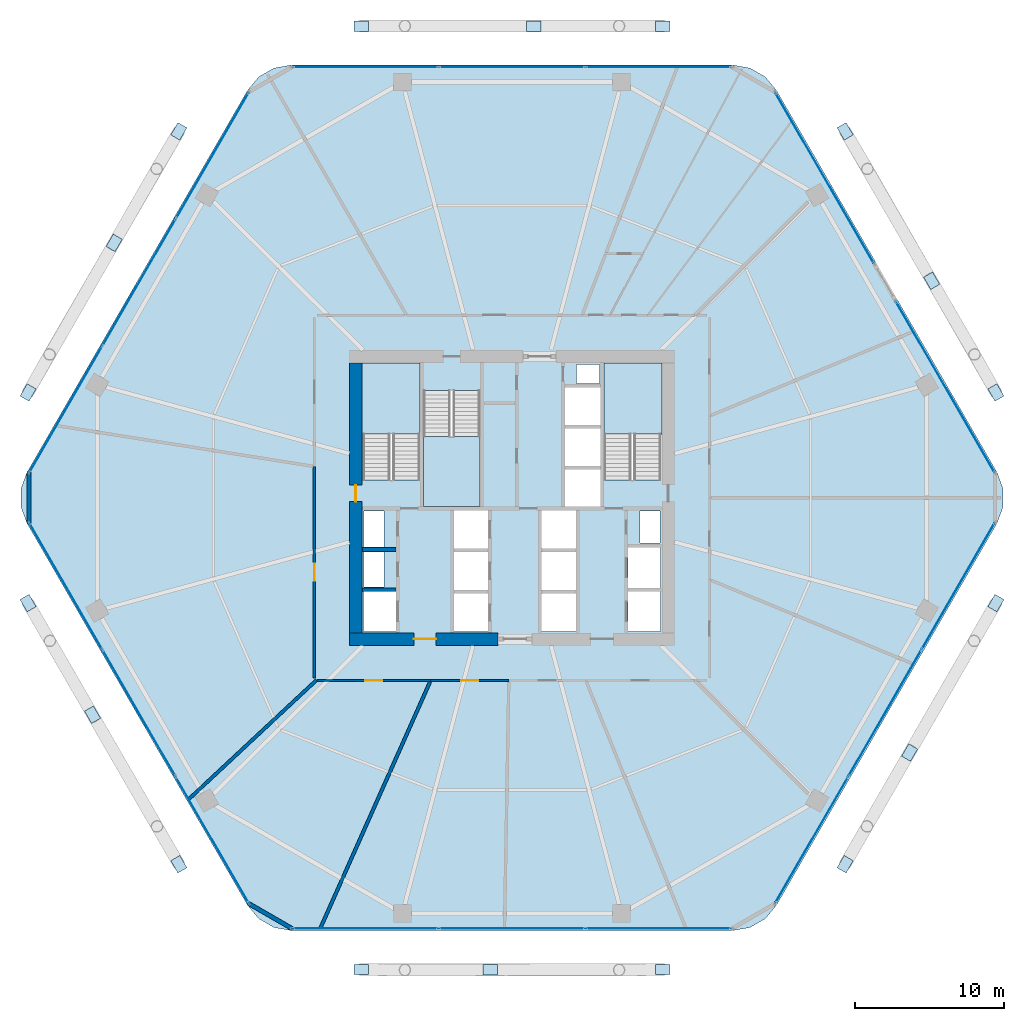
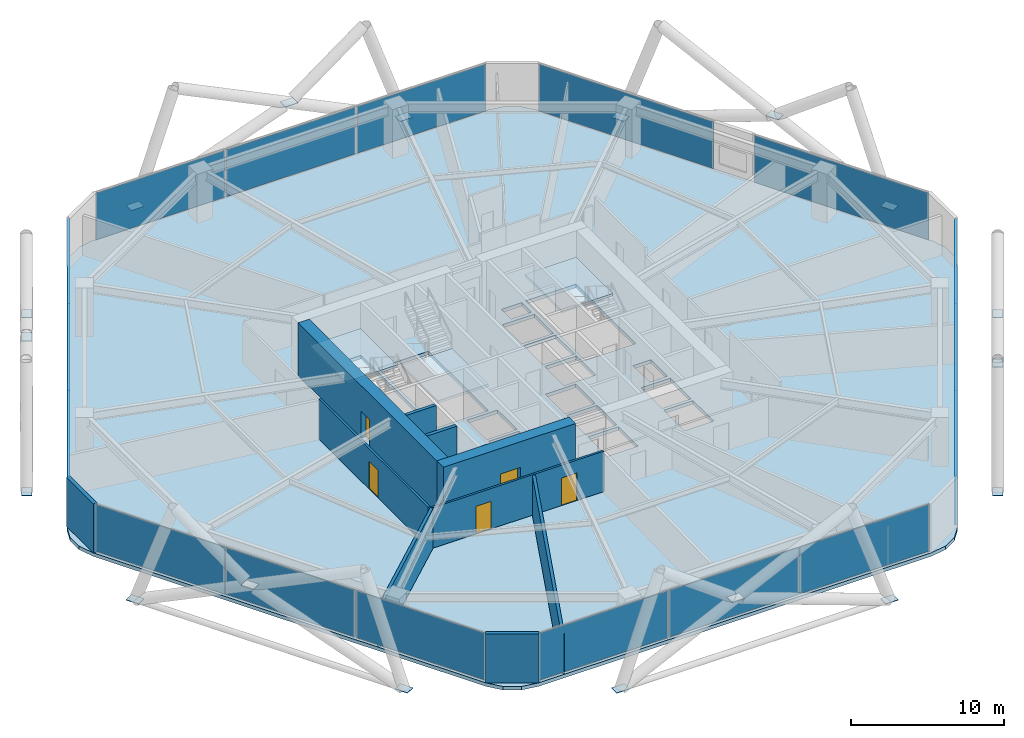
# One storey, part 24 of 28: 35 plates, 11 walls, 5 doors, 4 slabs, 5 openings, 10 elements without a shape of their own.
"""IFC4 building model written with IfcOpenShell, lengths in metres."""

from ifc_helpers import new_model, si_unit, direction, frame, frame_2d, origin, origin_2d, place, context, subcontext, project, spatial, polyline, rectangle, outline, extrude, material, layer, layer_set, type_object, element, fill, aggregate, save


model = new_model("IFC4")

# Units and contexts
model_context = context("Model", 3, precision=1e-05, world=origin(), true_north=direction((0.0, 1.0)))
body_context = subcontext(model_context, "Body", "Model", "MODEL_VIEW")
ifc_project = project(units=[si_unit("LENGTHUNIT", "METRE"), si_unit("AREAUNIT", "SQUARE_METRE"), si_unit("VOLUMEUNIT", "CUBIC_METRE"), si_unit("PLANEANGLEUNIT", "RADIAN"), si_unit("MASSUNIT", "GRAM", prefix="KILO")], contexts=[model_context])

# Site, building, storey
site_placement = place(None, origin())
site = spatial("IfcSite", under=ifc_project, at=site_placement, CompositionType="ELEMENT")
building_placement = place(site_placement, origin())
building = spatial("IfcBuilding", under=site, at=building_placement, Name="Zuhravey Tower", CompositionType="ELEMENT")
storey_placement = place(building_placement, frame((0.0, 0.0, 75.0)))
storey = spatial("IfcBuildingStorey", under=building, at=storey_placement, Name="L18", CompositionType="ELEMENT", Elevation=75.0)

# Curtain wall, plates
ifc_material_1 = material(Name="Thermally broken anodised aluminium", Category="aluminium")
curtain_wall_type = type_object("IfcCurtainWallType", Name="School Low-E Unitised Curtain Wall CW1", PredefinedType="NOTDEFINED", material=ifc_material_1)
curtain_wall_1_placement = place(storey_placement, origin())
curtain_wall_1 = element("IfcCurtainWall", 1, at=curtain_wall_1_placement, inside=storey, type_object=curtain_wall_type, Name="L18 CW1 CW-L18-F6-1", PredefinedType="NOTDEFINED")
ifc_material_2 = material(Name="Laminated acoustic low-E vision glass", Category="glass")
ifc_layer_1 = layer(ifc_material_2, 0.048095703125)
ifc_layer_set_1 = layer_set([ifc_layer_1], Name="Laminated acoustic low-E vision glass")
plate_type_1 = type_object("IfcPlateType", Name="Acoustic School Vision Panel", PredefinedType="CURTAIN_PANEL", material=ifc_layer_set_1)
plate_1_placement = place(storey_placement, frame((66.000732421875, 26.045654296875, 0.08984375), z_axis=(0.0, 0.0, 1.0), x_axis=(-0.499999794119, -0.86602552265, 0.0)))
plate_1 = element("IfcPlate", 2, at=plate_1_placement, type_object=plate_type_1, Name="CW1 panel 1.1", PredefinedType="CURTAIN_PANEL", context=body_context, shape_type="SweptSolid", body=[
    extrude(rectangle(XDim=9.7314453125, YDim=0.048095703125, at=origin_2d()), origin(), (0.0, 0.0, 1.0), 3.739990234375),
])
plate_2_placement = place(storey_placement, frame((61.078857421875, 17.520751953125, 0.08984375), z_axis=(0.0, 0.0, 1.0), x_axis=(-0.499999794119, -0.86602552265, 0.0)))
plate_2 = element("IfcPlate", 3, at=plate_2_placement, type_object=plate_type_1, Name="CW1 panel 2.1", PredefinedType="CURTAIN_PANEL", context=body_context, shape_type="SweptSolid", body=[
    extrude(rectangle(XDim=9.7763671875, YDim=0.048095703125, at=origin_2d()), origin(), (0.0, 0.0, 1.0), 3.739990234375),
])
plate_3_placement = place(storey_placement, frame((56.15673828125, 8.995849609375, 0.08984375), z_axis=(0.0, 0.0, 1.0), x_axis=(-0.499999794119, -0.86602552265, 0.0)))
plate_3 = element("IfcPlate", 4, at=plate_3_placement, type_object=plate_type_1, Name="CW1 panel 3.1", PredefinedType="CURTAIN_PANEL", context=body_context, shape_type="SweptSolid", body=[
    extrude(rectangle(XDim=9.7314453125, YDim=0.048095703125, at=origin_2d()), origin(), (0.0, 0.0, 1.0), 3.739990234375),
])
aggregate(curtain_wall_1, [plate_1, plate_2, plate_3])

curtain_wall_2_placement = place(storey_placement, origin())
curtain_wall_2 = element("IfcCurtainWall", 5, at=curtain_wall_2_placement, inside=storey, type_object=curtain_wall_type, Name="L18 CW1 CW-L18-F5-1", PredefinedType="NOTDEFINED")
plate_4_placement = place(storey_placement, frame((45.84375, 3.04150390625, 0.08984375), z_axis=(0.0, 0.0, 1.0), x_axis=(-1.0, 0.0, 0.0)))
plate_4 = element("IfcPlate", 6, at=plate_4_placement, type_object=plate_type_1, Name="CW1 panel 1.1", PredefinedType="CURTAIN_PANEL", context=body_context, shape_type="SweptSolid", body=[
    extrude(rectangle(XDim=9.7314453125, YDim=0.048095703125, at=origin_2d()), origin(), (0.0, 0.0, 1.0), 3.739990234375),
])
plate_5_placement = place(storey_placement, frame((36.0, 3.04150390625, 0.08984375), z_axis=(0.0, 0.0, 1.0), x_axis=(-1.0, 0.0, 0.0)))
plate_5 = element("IfcPlate", 7, at=plate_5_placement, type_object=plate_type_1, Name="CW1 panel 2.1", PredefinedType="CURTAIN_PANEL", context=body_context, shape_type="SweptSolid", body=[
    extrude(rectangle(XDim=9.7763671875, YDim=0.048095703125, at=origin_2d()), origin(), (0.0, 0.0, 1.0), 3.739990234375),
])
plate_6_placement = place(storey_placement, frame((26.15625, 3.04150390625, 0.08984375), z_axis=(0.0, 0.0, 1.0), x_axis=(-1.0, 0.0, 0.0)))
plate_6 = element("IfcPlate", 8, at=plate_6_placement, type_object=plate_type_1, Name="CW1 panel 3.1", PredefinedType="CURTAIN_PANEL", context=body_context, shape_type="SweptSolid", body=[
    extrude(rectangle(XDim=9.7314453125, YDim=0.048095703125, at=origin_2d()), origin(), (0.0, 0.0, 1.0), 3.739990234375),
])
aggregate(curtain_wall_2, [plate_4, plate_5, plate_6])

curtain_wall_3_placement = place(storey_placement, origin())
curtain_wall_3 = element("IfcCurtainWall", 9, at=curtain_wall_3_placement, inside=storey, type_object=curtain_wall_type, Name="L18 CW1 CW-L18-F4-1", PredefinedType="NOTDEFINED")
plate_7_placement = place(storey_placement, frame((15.84326171875, 8.995849609375, 0.08984375), z_axis=(0.0, 0.0, 1.0), x_axis=(-0.499999794119, 0.86602552265, 0.0)))
plate_7 = element("IfcPlate", 10, at=plate_7_placement, type_object=plate_type_1, Name="CW1 panel 1.1", PredefinedType="CURTAIN_PANEL", context=body_context, shape_type="SweptSolid", body=[
    extrude(rectangle(XDim=9.7314453125, YDim=0.048095703125, at=origin_2d()), origin(), (0.0, 0.0, 1.0), 3.739990234375),
])
plate_8_placement = place(storey_placement, frame((10.921142578125, 17.520751953125, 0.08984375), z_axis=(0.0, 0.0, 1.0), x_axis=(-0.499999794119, 0.86602552265, 0.0)))
plate_8 = element("IfcPlate", 11, at=plate_8_placement, type_object=plate_type_1, Name="CW1 panel 2.1", PredefinedType="CURTAIN_PANEL", context=body_context, shape_type="SweptSolid", body=[
    extrude(rectangle(XDim=9.7763671875, YDim=0.048095703125, at=origin_2d()), origin(), (0.0, 0.0, 1.0), 3.739990234375),
])
plate_9_placement = place(storey_placement, frame((5.999267578125, 26.045654296875, 0.08984375), z_axis=(0.0, 0.0, 1.0), x_axis=(-0.499999794119, 0.86602552265, 0.0)))
plate_9 = element("IfcPlate", 12, at=plate_9_placement, type_object=plate_type_1, Name="CW1 panel 3.1", PredefinedType="CURTAIN_PANEL", context=body_context, shape_type="SweptSolid", body=[
    extrude(rectangle(XDim=9.7314453125, YDim=0.048095703125, at=origin_2d()), origin(), (0.0, 0.0, 1.0), 3.739990234375),
])
aggregate(curtain_wall_3, [plate_7, plate_8, plate_9])

curtain_wall_4_placement = place(storey_placement, origin())
curtain_wall_4 = element("IfcCurtainWall", 13, at=curtain_wall_4_placement, inside=storey, type_object=curtain_wall_type, Name="L18 CW1 CW-L18-F3-1", PredefinedType="NOTDEFINED")
plate_10_placement = place(storey_placement, frame((5.999267578125, 37.954345703125, 0.08984375), z_axis=(0.0, 0.0, 1.0), x_axis=(0.499999794119, 0.86602552265, 0.0)))
plate_10 = element("IfcPlate", 14, at=plate_10_placement, type_object=plate_type_1, Name="CW1 panel 1.1", PredefinedType="CURTAIN_PANEL", context=body_context, shape_type="SweptSolid", body=[
    extrude(rectangle(XDim=9.7314453125, YDim=0.048095703125, at=origin_2d()), origin(), (0.0, 0.0, 1.0), 3.739990234375),
])
plate_11_placement = place(storey_placement, frame((10.921142578125, 46.479248046875, 0.08984375), z_axis=(0.0, 0.0, 1.0), x_axis=(0.499999794119, 0.86602552265, 0.0)))
plate_11 = element("IfcPlate", 15, at=plate_11_placement, type_object=plate_type_1, Name="CW1 panel 2.1", PredefinedType="CURTAIN_PANEL", context=body_context, shape_type="SweptSolid", body=[
    extrude(rectangle(XDim=9.7763671875, YDim=0.048095703125, at=origin_2d()), origin(), (0.0, 0.0, 1.0), 3.739990234375),
])
plate_12_placement = place(storey_placement, frame((15.84326171875, 55.004150390625, 0.08984375), z_axis=(0.0, 0.0, 1.0), x_axis=(0.499999794119, 0.86602552265, 0.0)))
plate_12 = element("IfcPlate", 16, at=plate_12_placement, type_object=plate_type_1, Name="CW1 panel 3.1", PredefinedType="CURTAIN_PANEL", context=body_context, shape_type="SweptSolid", body=[
    extrude(rectangle(XDim=9.7314453125, YDim=0.048095703125, at=origin_2d()), origin(), (0.0, 0.0, 1.0), 3.739990234375),
])
aggregate(curtain_wall_4, [plate_10, plate_11, plate_12])

curtain_wall_5_placement = place(storey_placement, origin())
curtain_wall_5 = element("IfcCurtainWall", 17, at=curtain_wall_5_placement, inside=storey, type_object=curtain_wall_type, Name="L18 CW1 CW-L18-F2-1", PredefinedType="NOTDEFINED")
plate_13_placement = place(storey_placement, frame((26.15625, 60.95849609375, 0.08984375), z_axis=(0.0, 0.0, 1.0), x_axis=(1.0, 0.0, 0.0)))
plate_13 = element("IfcPlate", 18, at=plate_13_placement, type_object=plate_type_1, Name="CW1 panel 1.1", PredefinedType="CURTAIN_PANEL", context=body_context, shape_type="SweptSolid", body=[
    extrude(rectangle(XDim=9.7314453125, YDim=0.048095703125, at=origin_2d()), origin(), (0.0, 0.0, 1.0), 3.739990234375),
])
plate_14_placement = place(storey_placement, frame((36.0, 60.95849609375, 0.08984375), z_axis=(0.0, 0.0, 1.0), x_axis=(1.0, 0.0, 0.0)))
plate_14 = element("IfcPlate", 19, at=plate_14_placement, type_object=plate_type_1, Name="CW1 panel 2.1", PredefinedType="CURTAIN_PANEL", context=body_context, shape_type="SweptSolid", body=[
    extrude(rectangle(XDim=9.7763671875, YDim=0.048095703125, at=origin_2d()), origin(), (0.0, 0.0, 1.0), 3.739990234375),
])
plate_15_placement = place(storey_placement, frame((45.84375, 60.95849609375, 0.08984375), z_axis=(0.0, 0.0, 1.0), x_axis=(1.0, 0.0, 0.0)))
plate_15 = element("IfcPlate", 20, at=plate_15_placement, type_object=plate_type_1, Name="CW1 panel 3.1", PredefinedType="CURTAIN_PANEL", context=body_context, shape_type="SweptSolid", body=[
    extrude(rectangle(XDim=9.7314453125, YDim=0.048095703125, at=origin_2d()), origin(), (0.0, 0.0, 1.0), 3.739990234375),
])
aggregate(curtain_wall_5, [plate_13, plate_14, plate_15])

# Curtain wall, plate
curtain_wall_6_placement = place(storey_placement, origin())
curtain_wall_6 = element("IfcCurtainWall", 21, at=curtain_wall_6_placement, inside=storey, type_object=curtain_wall_type, Name="L18 CW1 CW-L18-F1-1", PredefinedType="NOTDEFINED")
plate_16_placement = place(storey_placement, frame((57.022705078125, 53.504638671875, 0.08984375), z_axis=(0.0, 0.0, 1.0), x_axis=(0.499995796318, -0.866027830768, 0.0)))
plate_16 = element("IfcPlate", 22, at=plate_16_placement, type_object=plate_type_1, Name="CW1 panel 1.1", PredefinedType="CURTAIN_PANEL", context=body_context, shape_type="SweptSolid", body=[
    extrude(rectangle(XDim=13.194580078125, YDim=0.048095703125, at=origin_2d()), origin(), (0.0, 0.0, 1.0), 3.739990234375),
])
aggregate(curtain_wall_6, [plate_16])

curtain_wall_7_placement = place(storey_placement, origin())
curtain_wall_7 = element("IfcCurtainWall", 23, at=curtain_wall_7_placement, inside=storey, type_object=curtain_wall_type, Name="L18 CW1 CW-L18-F1-2", PredefinedType="NOTDEFINED")
plate_17_placement = place(storey_placement, frame((65.134765625, 39.453857421875, 0.08984375), z_axis=(0.0, 0.0, 1.0), x_axis=(0.500001403986, -0.866024593191, 0.0)))
plate_17 = element("IfcPlate", 24, at=plate_17_placement, type_object=plate_type_1, Name="CW1 panel 1.1", PredefinedType="CURTAIN_PANEL", context=body_context, shape_type="SweptSolid", body=[
    extrude(rectangle(XDim=13.194580078125, YDim=0.048095703125, at=origin_2d()), origin(), (0.0, 0.0, 1.0), 3.739990234375),
])
aggregate(curtain_wall_7, [plate_17])

# Plates
ifc_material_3 = material(Name="Steel SM460", Category="steel")
ifc_layer_2 = layer(ifc_material_3, 0.0400390625)
ifc_layer_set_2 = layer_set([ifc_layer_2], Name="Steel SM460")
plate_type_2 = type_object("IfcPlateType", Name="Exoskeleton Zone 1 Node Plate ND1", PredefinedType="SHEET", material=ifc_layer_set_2)
for number, where, z_axis, x_axis, name in (
    (25, (68.537353515625, 39.08056640625, -0.513916015625), (0.0, 0.0, 1.0), (-0.5, 0.866025403784, 0.0), "L18 Exoskeleton Node Gusset L18-01"),
    (26, (58.400634765625, 56.637939453125, -0.513916015625), (0.0, 0.0, 1.0), (-0.5, 0.866025403784, 0.0), "L18 Exoskeleton Node Gusset L18-02"),
    (27, (46.13671875, 63.718505859375, -0.513916015625), (0.0, 0.0, 1.0), (-1.0, 0.0, 0.0), "L18 Exoskeleton Node Gusset L18-03"),
    (28, (25.86328125, 63.718505859375, -0.513916015625), (0.0, 0.0, 1.0), (-1.0, 0.0, 0.0), "L18 Exoskeleton Node Gusset L18-04"),
    (29, (13.599365234375, 56.637939453125, -0.513916015625), (0.0, 0.0, 1.0), (-0.5, -0.866025403784, 0.0), "L18 Exoskeleton Node Gusset L18-05"),
    (30, (3.462646484375, 39.08056640625, -0.513916015625), (0.0, 0.0, 1.0), (-0.5, -0.866025403784, 0.0), "L18 Exoskeleton Node Gusset L18-06"),
    (31, (3.462646484375, 24.91943359375, -0.513916015625), (0.0, 0.0, 1.0), (0.5, -0.866025403784, 0.0), "L18 Exoskeleton Node Gusset L18-07"),
    (32, (13.599365234375, 7.362060546875, -0.513916015625), (0.0, 0.0, 1.0), (0.5, -0.866025403784, 0.0), "L18 Exoskeleton Node Gusset L18-08"),
    (33, (25.86328125, 0.281494140625, -0.513916015625), (0.0, 0.0, 1.0), (1.0, 0.0, 0.0), "L18 Exoskeleton Node Gusset L18-09"),
    (34, (46.13671875, 0.281494140625, -0.513916015625), (0.0, 0.0, 1.0), (1.0, 0.0, 0.0), "L18 Exoskeleton Node Gusset L18-10"),
    (35, (58.400634765625, 7.362060546875, -0.513916015625), (0.0, 0.0, 1.0), (0.5, 0.866025403784, 0.0), "L18 Exoskeleton Node Gusset L18-11"),
    (36, (68.537353515625, 24.91943359375, -0.513916015625), (0.0, 0.0, 1.0), (0.5, 0.866025403784, 0.0), "L18 Exoskeleton Node Gusset L18-12"),
    (37, (64.2177734375, 46.59228515625, 3.68603515625), (0.0, 0.0, 1.0), (-0.5, 0.866025403784, 0.0), "L18 Face 1 Diagrid X-Crossing Plate"),
    (38, (37.471435546875, 63.718505859375, 3.68603515625), (0.0, 0.0, 1.0), (-1.0, 0.0, 0.0), "L18 Face 2 Diagrid X-Crossing Plate"),
    (39, (9.25390625, 49.14111328125, 3.68603515625), (0.0, 0.0, 1.0), (-0.5, -0.866025403784, 0.0), "L18 Face 3 Diagrid X-Crossing Plate"),
    (40, (7.79541015625, 17.4150390625, 3.68603515625), (0.0, 0.0, 1.0), (0.5, -0.866025403784, 0.0), "L18 Face 4 Diagrid X-Crossing Plate"),
    (41, (34.528564453125, 0.2666015625, 3.68603515625), (0.0, 0.0, 1.0), (1.0, 0.0, 0.0), "L18 Face 5 Diagrid X-Crossing Plate"),
    (42, (62.733154296875, 14.866455078125, 3.68603515625), (0.0, 0.0, 1.0), (0.5, 0.866025403784, 0.0), "L18 Face 6 Diagrid X-Crossing Plate"),
):
    element("IfcPlate", number, at=place(storey_placement, frame(where, z_axis=z_axis, x_axis=x_axis)), inside=storey, type_object=plate_type_2, Name=name, PredefinedType="SHEET", context=body_context, shape_type="SweptSolid", body=[
        extrude(rectangle(XDim=0.9599609375, YDim=0.699951171875, at=origin_2d()), origin(), (0.0, 0.0, 1.0), 0.0400390625),
    ])

# Slab
ifc_material_4 = material(Name="Concrete C50/60", Category="concrete")
ifc_layer_3 = layer(ifc_material_4, 0.280029296875)
ifc_layer_set_3 = layer_set([ifc_layer_3], Name="Concrete C50/60")
slab_type_1 = type_object("IfcSlabType", Name="School Composite Floor Slab 280", PredefinedType="FLOOR", material=ifc_layer_set_3)
slab_1_placement = place(storey_placement, frame((0.0, 0.0, -0.280029296875)))
element("IfcSlab", 43, at=slab_1_placement, inside=storey, type_object=slab_type_1, Name="L18 Floor Slab FS28", PredefinedType="FLOOR", context=body_context, shape_type="SweptSolid", body=[
    extrude(outline(polyline([(68.618408203125, 30.300048828125), (69.0224609375, 31.40966796875), (69.0224609375, 32.59033203125), (68.618408203125, 33.699951171875), (53.781494140625, 59.3984375), (53.0224609375, 60.302978515625), (52.0, 60.893310546875), (50.8369140625, 61.098388671875), (21.1630859375, 61.098388671875), (20.0, 60.893310546875), (18.9775390625, 60.302978515625), (18.218505859375, 59.3984375), (3.381591796875, 33.699951171875), (2.9775390625, 32.59033203125), (2.9775390625, 31.40966796875), (3.381591796875, 30.300048828125), (18.218505859375, 4.6015625), (18.9775390625, 3.697021484375), (20.0, 3.106689453125), (21.1630859375, 2.901611328125), (50.8369140625, 2.901611328125), (52.0, 3.106689453125), (53.0224609375, 3.697021484375), (53.781494140625, 4.6015625), (68.618408203125, 30.300048828125)]), holes=[polyline([(29.800048828125, 33.20068359375), (29.800048828125, 41.0), (26.0, 41.0), (26.0, 33.20068359375), (29.800048828125, 33.20068359375)]), polyline([(46.0, 33.20068359375), (46.0, 41.0), (42.199951171875, 41.0), (42.199951171875, 33.20068359375), (46.0, 33.20068359375)]), polyline([(30.050048828125, 39.199462890625), (30.050048828125, 31.39990234375), (33.85009765625, 31.39990234375), (33.85009765625, 39.199462890625), (30.050048828125, 39.199462890625)]), polyline([(32.10009765625, 23.0), (34.39990234375, 23.0), (34.39990234375, 25.550048828125), (32.10009765625, 25.550048828125), (32.10009765625, 23.0)]), polyline([(32.10009765625, 25.800048828125), (34.39990234375, 25.800048828125), (34.39990234375, 28.35009765625), (32.10009765625, 28.35009765625), (32.10009765625, 25.800048828125)]), polyline([(32.10009765625, 28.60009765625), (34.39990234375, 28.60009765625), (34.39990234375, 31.14990234375), (32.10009765625, 31.14990234375), (32.10009765625, 28.60009765625)]), polyline([(38.0, 23.0), (40.300048828125, 23.0), (40.300048828125, 25.550048828125), (38.0, 25.550048828125), (38.0, 23.0)]), polyline([(38.0, 25.800048828125), (40.300048828125, 25.800048828125), (40.300048828125, 28.35009765625), (38.0, 28.35009765625), (38.0, 25.800048828125)]), polyline([(38.0, 28.60009765625), (40.300048828125, 28.60009765625), (40.300048828125, 31.14990234375), (38.0, 31.14990234375), (38.0, 28.60009765625)]), polyline([(39.550048828125, 31.39990234375), (41.949951171875, 31.39990234375), (41.949951171875, 33.89990234375), (39.550048828125, 33.89990234375), (39.550048828125, 31.39990234375)]), polyline([(39.550048828125, 34.14990234375), (41.949951171875, 34.14990234375), (41.949951171875, 36.64990234375), (39.550048828125, 36.64990234375), (39.550048828125, 34.14990234375)]), polyline([(39.550048828125, 36.89990234375), (41.949951171875, 36.89990234375), (41.949951171875, 39.39990234375), (39.550048828125, 39.39990234375), (39.550048828125, 36.89990234375)]), polyline([(26.0, 23.0), (28.199951171875, 23.0), (28.199951171875, 25.699951171875), (26.0, 25.699951171875), (26.0, 23.0)]), polyline([(43.800048828125, 23.0), (46.0, 23.0), (46.0, 25.699951171875), (43.800048828125, 25.699951171875), (43.800048828125, 23.0)]), polyline([(43.800048828125, 25.949951171875), (46.0, 25.949951171875), (46.0, 28.64990234375), (43.800048828125, 28.64990234375), (43.800048828125, 25.949951171875)]), polyline([(26.050048828125, 26.0), (27.39990234375, 26.0), (27.39990234375, 28.35009765625), (26.050048828125, 28.35009765625), (26.050048828125, 26.0)]), polyline([(26.050048828125, 28.699951171875), (27.39990234375, 28.699951171875), (27.39990234375, 31.10009765625), (26.050048828125, 31.10009765625), (26.050048828125, 28.699951171875)]), polyline([(44.60009765625, 28.949951171875), (45.949951171875, 28.949951171875), (45.949951171875, 31.10009765625), (44.60009765625, 31.10009765625), (44.60009765625, 28.949951171875)]), polyline([(40.35009765625, 39.699951171875), (41.89990234375, 39.699951171875), (41.89990234375, 40.949951171875), (40.35009765625, 40.949951171875), (40.35009765625, 39.699951171875)])]), origin(), (0.0, 0.0, 1.0), 0.280029296875),
])

# Stair, slab
ifc_material_5 = material(Name="Concrete C40/50", Category="concrete")
stair_type = type_object("IfcStairType", Name="School Storey Stair Assembly 4200", PredefinedType="HALF_TURN_STAIR", material=ifc_material_5)
stair_1_placement = place(storey_placement, origin())
stair_1 = element("IfcStair", 44, at=stair_1_placement, inside=storey, type_object=stair_type, Name="L18 Core Exit Stair ST1", PredefinedType="HALF_TURN_STAIR")
ifc_layer_4 = layer(ifc_material_5, 0.199951171875)
ifc_layer_set_4 = layer_set([ifc_layer_4], Name="Concrete C40/50")
slab_type_2 = type_object("IfcSlabType", Name="Stair Landing Slab 200", PredefinedType="LANDING", material=ifc_layer_set_4)
slab_2_placement = place(storey_placement, frame((0.0, 0.0, 1.89990234375)))
slab_2 = element("IfcSlab", 45, at=slab_2_placement, type_object=slab_type_2, Name="ST1 landing 1", PredefinedType="LANDING", context=body_context, shape_type="SweptSolid", body=[
    extrude(outline(polyline([(29.800048828125, 36.280029296875), (29.800048828125, 41.072998046875), (25.927001953125, 41.072998046875), (25.927001953125, 36.280029296875), (29.800048828125, 36.280029296875)])), origin(), (0.0, 0.0, 1.0), 0.2001953125),
])
aggregate(stair_1, [slab_2])

stair_2_placement = place(storey_placement, origin())
stair_2 = element("IfcStair", 46, at=stair_2_placement, inside=storey, type_object=stair_type, Name="L18 Core Exit Stair ST2", PredefinedType="HALF_TURN_STAIR")
slab_3_placement = place(storey_placement, frame((0.0, 0.0, 1.89990234375)))
slab_3 = element("IfcSlab", 47, at=slab_3_placement, type_object=slab_type_2, Name="ST2 landing 1", PredefinedType="LANDING", context=body_context, shape_type="SweptSolid", body=[
    extrude(outline(polyline([(46.072998046875, 36.280029296875), (46.072998046875, 41.072998046875), (42.199951171875, 41.072998046875), (42.199951171875, 36.280029296875), (46.072998046875, 36.280029296875)])), origin(), (0.0, 0.0, 1.0), 0.2001953125),
])
aggregate(stair_2, [slab_3])

stair_3_placement = place(storey_placement, origin())
stair_3 = element("IfcStair", 48, at=stair_3_placement, inside=storey, type_object=stair_type, Name="L18 Core Exit Stair ST3", PredefinedType="HALF_TURN_STAIR")
slab_4_placement = place(storey_placement, frame((0.0, 0.0, 1.89990234375)))
slab_4 = element("IfcSlab", 49, at=slab_4_placement, type_object=slab_type_2, Name="ST3 landing 1", PredefinedType="LANDING", context=body_context, shape_type="SweptSolid", body=[
    extrude(outline(polyline([(30.050048828125, 36.1201171875), (30.050048828125, 31.39990234375), (33.85009765625, 31.39990234375), (33.85009765625, 36.1201171875), (30.050048828125, 36.1201171875)])), origin(), (0.0, 0.0, 1.0), 0.2001953125),
])
aggregate(stair_3, [slab_4])

# Wall, opening, door
ifc_material_6 = material(Name="Concrete C60/75", Category="concrete")
ifc_layer_5 = layer(ifc_material_6, 0.85009765625)
ifc_layer_set_5 = layer_set([ifc_layer_5], Name="Concrete C60/75")
wall_type_1 = type_object("IfcWallType", Name="Core Shear Wall 850", PredefinedType="SHEAR", material=ifc_layer_set_5)
wall_1_placement = place(storey_placement, frame((25.074951171875, 22.5, 0.0), z_axis=(0.0, 0.0, 1.0), x_axis=(1.0, 0.0, 0.0)))
wall_1 = element("IfcWall", 50, at=wall_1_placement, inside=storey, type_object=wall_type_1, Name="L18 South-West Core Shear Wall CW85", PredefinedType="SHEAR", context=body_context, shape_type="SweptSolid", body=[
    extrude(rectangle(XDim=9.97509765625, YDim=0.85009765625, at=frame_2d((4.987548828125, 0.0))), origin(), (0.0, 0.0, 1.0), 4.199951171875),
])
opening_1_placement = place(wall_1_placement, frame((4.324951171875, 0.0, 0.0)))
opening_1 = element("IfcOpeningElement", 51, at=opening_1_placement, cuts=wall_1, Name="Opening FFD1", PredefinedType="OPENING", context=body_context, shape_type="SweptSolid", body=[
    extrude(rectangle(XDim=1.5, YDim=2.14990234375, at=frame_2d((0.75, 1.074951171875))), frame((0.0, 0.43701171875, 0.0), z_axis=(0.0, -1.0, 0.0), x_axis=(1.0, 0.0, 0.0)), (0.0, 0.0, 1.0), 0.8740234375),
])
ifc_material_7 = material(Name="Galvanised fire-rated steel leaf", Category="steel")
door_type_1 = type_object("IfcDoorType", Name="Firefighting Lobby Double Door 1500x2150", OperationType="DOUBLE_DOOR_SINGLE_SWING", PredefinedType="DOOR", material=ifc_material_7)
door_1_placement = place(opening_1_placement, origin())
door_1 = element("IfcDoor", 52, at=door_1_placement, inside=storey, type_object=door_type_1, Name="L18 Firefighting Lobby West Door", OperationType="DOUBLE_DOOR_SINGLE_SWING", OverallHeight=2.14990234375, OverallWidth=1.5, PredefinedType="DOOR", context=body_context, shape_type="SweptSolid", body=[
    extrude(rectangle(XDim=1.5, YDim=2.14990234375, at=frame_2d((0.75, 1.074951171875))), frame((0.0, 0.02490234375, 0.0), z_axis=(0.0, -1.0, 0.0), x_axis=(1.0, 0.0, 0.0)), (0.0, 0.0, 1.0), 0.050048828125),
])
fill(opening_1, door_1)

wall_2_placement = place(storey_placement, frame((25.5, 22.925048828125, 0.0), z_axis=(0.0, 0.0, 1.0), x_axis=(0.0, 1.0, 0.0)))
wall_2 = element("IfcWall", 53, at=wall_2_placement, inside=storey, type_object=wall_type_1, Name="L18 West Core Shear Wall CW85", PredefinedType="SHEAR", context=body_context, shape_type="SweptSolid", body=[
    extrude(rectangle(XDim=18.14990234375, YDim=0.85009765625, at=frame_2d((9.074951171875, 0.0))), origin(), (0.0, 0.0, 1.0), 4.199951171875),
])
opening_2_placement = place(wall_2_placement, frame((8.824951171875, 0.0, 0.0)))
opening_2 = element("IfcOpeningElement", 54, at=opening_2_placement, cuts=wall_2, Name="Opening STD1", PredefinedType="OPENING", context=body_context, shape_type="SweptSolid", body=[
    extrude(rectangle(XDim=1.10009765625, YDim=2.14990234375, at=frame_2d((0.550048828125, 1.074951171875))), frame((0.0, 0.43701171875, 0.0), z_axis=(0.0, -1.0, 0.0), x_axis=(1.0, 0.0, 0.0)), (0.0, 0.0, 1.0), 0.8740234375),
])
door_type_2 = type_object("IfcDoorType", Name="Protected Stair Fire Door 1100x2150", OperationType="NOTDEFINED", PredefinedType="USERDEFINED", material=ifc_material_7)
door_2_placement = place(opening_2_placement, frame((1.10009765625, 0.0, 0.0), z_axis=(0.0, 0.0, 1.0), x_axis=(-1.0, 0.0, 0.0)))
door_2 = element("IfcDoor", 55, at=door_2_placement, inside=storey, type_object=door_type_2, Name="L18 Stair ST1 Door", ObjectType="EXITDOOR", OperationType="SINGLE_SWING_RIGHT", OverallHeight=2.14990234375, OverallWidth=1.10009765625, PredefinedType="USERDEFINED", context=body_context, shape_type="SweptSolid", body=[
    extrude(rectangle(XDim=1.10009765625, YDim=2.14990234375, at=frame_2d((0.550048828125, 1.074951171875))), frame((0.0, 0.02490234375, 0.0), z_axis=(0.0, -1.0, 0.0), x_axis=(1.0, 0.0, 0.0)), (0.0, 0.0, 1.0), 0.050048828125),
])
fill(opening_2, door_2)

ifc_material_8 = material(Name="Gypsum fire-rated stud partition")
ifc_layer_6 = layer(ifc_material_8, 0.159912109375)
ifc_layer_set_6 = layer_set([ifc_layer_6], Name="Gypsum fire-rated stud partition")
wall_type_2 = type_object("IfcWallType", Name="Corridor Fire Partition 160", PredefinedType="PARTITIONING", material=ifc_layer_set_6)
wall_3_placement = place(storey_placement, frame((22.715087890625, 34.10400390625, 0.0), z_axis=(0.0, 0.0, 1.0), x_axis=(0.0, -1.0, 0.0)))
wall_3 = element("IfcWall", 56, at=wall_3_placement, inside=storey, type_object=wall_type_2, Name="L18 IW16 Partition 025", PredefinedType="PARTITIONING", context=body_context, shape_type="SweptSolid", body=[
    extrude(rectangle(XDim=14.22900390625, YDim=0.159912109375, at=frame_2d((7.114501953125, 0.0))), origin(), (0.0, 0.0, 1.0), 3.219970703125),
])
opening_3_placement = place(wall_3_placement, frame((6.53955078125, 0.0, 0.0)))
opening_3 = element("IfcOpeningElement", 57, at=opening_3_placement, cuts=wall_3, Name="Opening CLD1", PredefinedType="OPENING", context=body_context, shape_type="SweptSolid", body=[
    extrude(rectangle(XDim=1.14990234375, YDim=2.199951171875, at=frame_2d((0.574951171875, 1.10009765625))), frame((0.0, 0.092041015625, 0.0), z_axis=(0.0, -1.0, 0.0), x_axis=(1.0, 0.0, 0.0)), (0.0, 0.0, 1.0), 0.183837890625),
])
ifc_material_9 = material(Name="Acoustic timber leaf with vision lite", Category="wood")
door_type_3 = type_object("IfcDoorType", Name="Classroom Acoustic Door 1150x2200", OperationType="NOTDEFINED", PredefinedType="DOOR", material=ifc_material_9)
door_3_placement = place(opening_3_placement, frame((1.14990234375, 0.0, 0.0), z_axis=(0.0, 0.0, 1.0), x_axis=(-1.0, 0.0, 0.0)))
door_3 = element("IfcDoor", 58, at=door_3_placement, inside=storey, type_object=door_type_3, Name="L18 Door 025.1", OperationType="SINGLE_SWING_RIGHT", OverallHeight=2.199951171875, OverallWidth=1.14990234375, PredefinedType="DOOR", context=body_context, shape_type="SweptSolid", body=[
    extrude(rectangle(XDim=1.14990234375, YDim=2.199951171875, at=frame_2d((0.574951171875, 1.10009765625))), frame((0.0, 0.02490234375, 0.0), z_axis=(0.0, -1.0, 0.0), x_axis=(1.0, 0.0, 0.0)), (0.0, 0.0, 1.0), 0.050048828125),
])
fill(opening_3, door_3)

wall_4_placement = place(storey_placement, frame((22.875, 19.715087890625, 0.0), z_axis=(0.0, 0.0, 1.0), x_axis=(1.0, 0.0, 0.0)))
wall_4 = element("IfcWall", 59, at=wall_4_placement, inside=storey, type_object=wall_type_2, Name="L18 IW16 Partition 026", PredefinedType="PARTITIONING", context=body_context, shape_type="SweptSolid", body=[
    extrude(rectangle(XDim=7.655517578125, YDim=0.159912109375, at=frame_2d((3.82763671875, 0.0))), origin(), (0.0, 0.0, 1.0), 3.219970703125),
])
opening_4_placement = place(wall_4_placement, frame((3.252685546875, 0.0, 0.0)))
opening_4 = element("IfcOpeningElement", 60, at=opening_4_placement, cuts=wall_4, Name="Opening CLD1", PredefinedType="OPENING", context=body_context, shape_type="SweptSolid", body=[
    extrude(rectangle(XDim=1.14990234375, YDim=2.199951171875, at=frame_2d((0.574951171875, 1.10009765625))), frame((0.0, 0.092041015625, 0.0), z_axis=(0.0, -1.0, 0.0), x_axis=(1.0, 0.0, 0.0)), (0.0, 0.0, 1.0), 0.183837890625),
])
door_4_placement = place(opening_4_placement, frame((1.14990234375, 0.0, 0.0), z_axis=(0.0, 0.0, 1.0), x_axis=(-1.0, 0.0, 0.0)))
door_4 = element("IfcDoor", 61, at=door_4_placement, inside=storey, type_object=door_type_3, Name="L18 Door 026.1", OperationType="SINGLE_SWING_LEFT", OverallHeight=2.199951171875, OverallWidth=1.14990234375, PredefinedType="DOOR", context=body_context, shape_type="SweptSolid", body=[
    extrude(rectangle(XDim=1.14990234375, YDim=2.199951171875, at=frame_2d((0.574951171875, 1.10009765625))), frame((0.0, 0.02490234375, 0.0), z_axis=(0.0, -1.0, 0.0), x_axis=(1.0, 0.0, 0.0)), (0.0, 0.0, 1.0), 0.050048828125),
])
fill(opening_4, door_4)

wall_5_placement = place(storey_placement, frame((30.530517578125, 19.715087890625, 0.0), z_axis=(0.0, 0.0, 1.0), x_axis=(1.0, 0.0, 0.0)))
wall_5 = element("IfcWall", 62, at=wall_5_placement, inside=storey, type_object=wall_type_2, Name="L18 IW16 Partition 027", PredefinedType="PARTITIONING", context=body_context, shape_type="SweptSolid", body=[
    extrude(rectangle(XDim=5.255126953125, YDim=0.159912109375, at=frame_2d((2.62744140625, 0.0))), origin(), (0.0, 0.0, 1.0), 3.219970703125),
])
opening_5_placement = place(wall_5_placement, frame((2.052490234375, 0.0, 0.0)))
opening_5 = element("IfcOpeningElement", 63, at=opening_5_placement, cuts=wall_5, Name="Opening CLD1", PredefinedType="OPENING", context=body_context, shape_type="SweptSolid", body=[
    extrude(rectangle(XDim=1.14990234375, YDim=2.199951171875, at=frame_2d((0.574951171875, 1.10009765625))), frame((0.0, 0.092041015625, 0.0), z_axis=(0.0, -1.0, 0.0), x_axis=(1.0, 0.0, 0.0)), (0.0, 0.0, 1.0), 0.183837890625),
])
door_5_placement = place(opening_5_placement, frame((1.14990234375, 0.0, 0.0), z_axis=(0.0, 0.0, 1.0), x_axis=(-1.0, 0.0, 0.0)))
door_5 = element("IfcDoor", 64, at=door_5_placement, inside=storey, type_object=door_type_3, Name="L18 Door 027.1", OperationType="SINGLE_SWING_RIGHT", OverallHeight=2.199951171875, OverallWidth=1.14990234375, PredefinedType="DOOR", context=body_context, shape_type="SweptSolid", body=[
    extrude(rectangle(XDim=1.14990234375, YDim=2.199951171875, at=frame_2d((0.574951171875, 1.10009765625))), frame((0.0, 0.02490234375, 0.0), z_axis=(0.0, -1.0, 0.0), x_axis=(1.0, 0.0, 0.0)), (0.0, 0.0, 1.0), 0.050048828125),
])
fill(opening_5, door_5)

# Walls
ifc_material_10 = material(Name="Precast concrete C40/50", Category="concrete")
ifc_layer_7 = layer(ifc_material_10, 0.280029296875)
ifc_layer_set_7 = layer_set([ifc_layer_7], Name="Precast concrete C40/50")
wall_type_3 = type_object("IfcWallType", Name="Crown Architectural Wall 280", PredefinedType="SOLIDWALL", material=ifc_layer_set_7)
wall_6_placement = place(storey_placement, frame((21.28271484375, 2.993896484375, 0.0), z_axis=(0.0, 0.0, 1.0), x_axis=(-0.866007452331, 0.500031091541, 0.0)))
element("IfcWall", 65, at=wall_6_placement, inside=storey, type_object=wall_type_3, Name="L18 Rounded Corner Closure Wall EW28-04", PredefinedType="SOLIDWALL", context=body_context, shape_type="SweptSolid", body=[
    extrude(rectangle(XDim=3.514892578125, YDim=0.280029296875, at=frame_2d((1.75732421875, 0.0))), origin(), (0.0, 0.0, 1.0), 3.919921875),
])
wall_7_placement = place(storey_placement, frame((3.521484375, 30.242431640625, 0.0), z_axis=(0.0, 0.0, 1.0), x_axis=(0.0, 1.0, 0.0)))
element("IfcWall", 66, at=wall_7_placement, inside=storey, type_object=wall_type_3, Name="L18 Rounded Corner Closure Wall EW28-06", PredefinedType="SOLIDWALL", context=body_context, shape_type="SweptSolid", body=[
    extrude(rectangle(XDim=3.51513671875, YDim=0.280029296875, at=frame_2d((1.757568359375, 0.0))), origin(), (0.0, 0.0, 1.0), 3.919921875),
])
ifc_layer_8 = layer(ifc_material_4, 0.25)
ifc_layer_set_8 = layer_set([ifc_layer_8], Name="Concrete C50/60")
wall_type_4 = type_object("IfcWallType", Name="Firefighting Shaft & Stair Wall 250", PredefinedType="SOLIDWALL", material=ifc_layer_set_8)
for number, where, z_axis, x_axis, name in (
    (67, (25.949951171875, 25.824951171875, 0.0), (0.0, 0.0, 1.0), (1.0, 0.0, 0.0), "L18 FW25 Shaft Wall 009"),
    (68, (25.949951171875, 28.52490234375, 0.0), (0.0, 0.0, 1.0), (1.0, 0.0, 0.0), "L18 FW25 Shaft Wall 010"),
):
    element("IfcWall", number, at=place(storey_placement, frame(where, z_axis=z_axis, x_axis=x_axis)), inside=storey, type_object=wall_type_4, Name=name, PredefinedType="SOLIDWALL", context=body_context, shape_type="SweptSolid", body=[
        extrude(rectangle(XDim=2.25, YDim=0.25, at=frame_2d((1.125, 0.0))), origin(), (0.0, 0.0, 1.0), 4.199951171875),
    ])
ifc_material_11 = material(Name="Gypsum acoustic stud assembly")
ifc_layer_9 = layer(ifc_material_11, 0.219970703125)
ifc_layer_set_9 = layer_set([ifc_layer_9], Name="Gypsum acoustic stud assembly")
wall_type_5 = type_object("IfcWallType", Name="School Acoustic Compartment Wall 220", PredefinedType="PARTITIONING", material=ifc_layer_set_9)
wall_8_placement = place(storey_placement, frame((22.849853515625, 19.7373046875, 0.0), z_axis=(0.0, 0.0, 1.0), x_axis=(-0.731360864489, -0.681990678744, 0.0)))
element("IfcWall", 69, at=wall_8_placement, inside=storey, type_object=wall_type_5, Name="L18 IW22 Partition 051", PredefinedType="PARTITIONING", context=body_context, shape_type="SweptSolid", body=[
    extrude(rectangle(XDim=11.73974609375, YDim=0.219970703125, at=frame_2d((5.869873046875, 0.0))), origin(), (0.0, 0.0, 1.0), 3.169921875),
])
wall_9_placement = place(storey_placement, frame((30.4912109375, 19.626953125, 0.0), z_axis=(0.0, 0.0, 1.0), x_axis=(-0.406746008396, -0.913541287876, 0.0)))
element("IfcWall", 70, at=wall_9_placement, inside=storey, type_object=wall_type_5, Name="L18 IW22 Partition 052", PredefinedType="PARTITIONING", context=body_context, shape_type="SweptSolid", body=[
    extrude(rectangle(XDim=18.155029296875, YDim=0.219970703125, at=frame_2d((9.07763671875, 0.0))), origin(), (0.0, 0.0, 1.0), 3.169921875),
])

save(model, "model.ifc")
